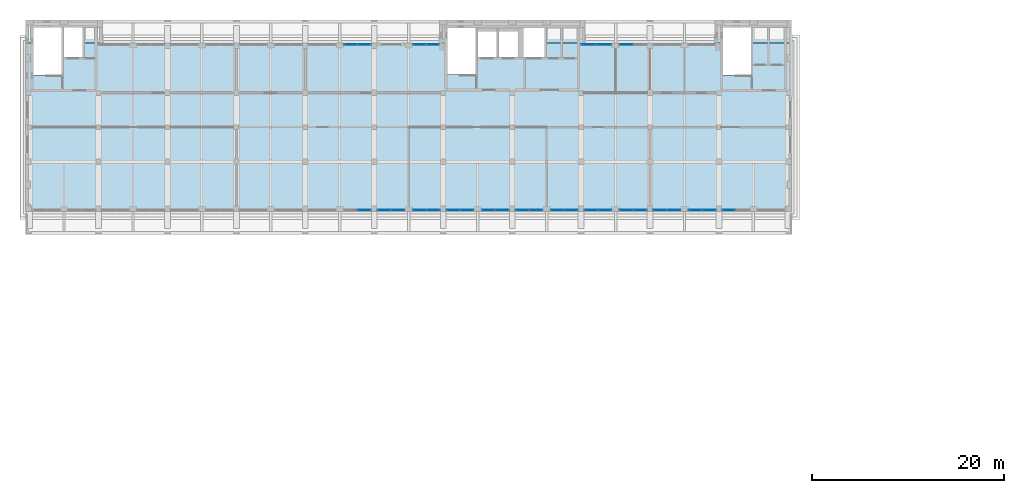
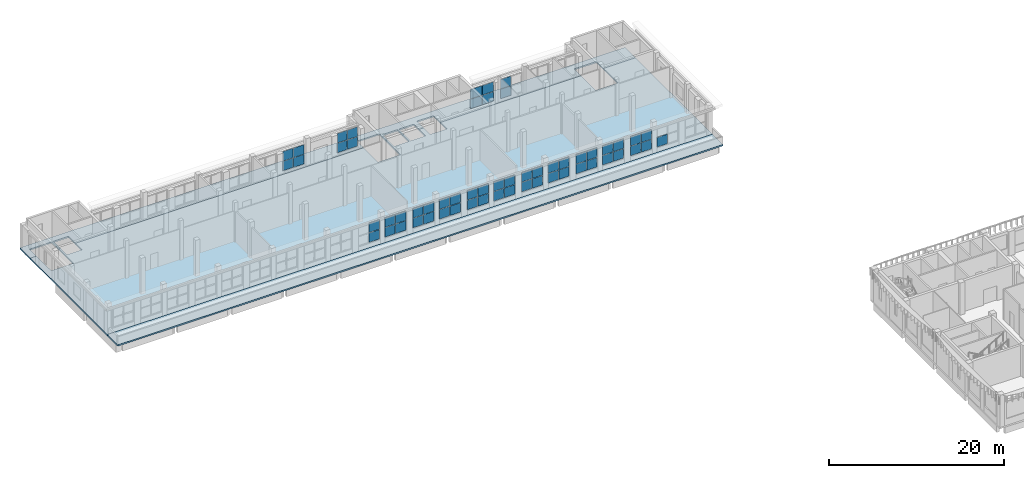
# One storey, part 12 of 30: 57 plates, 3 slabs, 16 elements without a shape of their own.
"""IFC4 building model written with IfcOpenShell, lengths in metres."""

import ifcopenshell
import ifcopenshell.guid

model = None  # the IFC model being written
_history = None  # IfcOwnerHistory: only IFC2X3 demands one
_inside = {}  # id of a spatial element -> (the spatial element, [elements in it])
_under = {}  # id of a project, library or spatial element -> (it, [spatial elements below it])
_declared = {}  # id of a project -> (the project, [libraries it declares])
_typed = {}  # id of a type object -> (the type object, [elements of that type])
_made_of = {}  # id of a material, layer set ... -> (it, [elements and type objects made of it])


def new_model(schema):
    """Start an empty IFC model of exactly this schema.

    Asked for "IFC4X3", IfcOpenShell would pick the latest addendum, in which some entities
    have other attributes; the version numbers below select the first issue.
    IFC2X3 requires an IfcOwnerHistory on every rooted entity: one is made here for all.
    """
    global model, _history
    if schema == "IFC4X3":
        model = ifcopenshell.file(schema_version=(4, 3, 0, 0))
    else:
        model = ifcopenshell.file(schema=schema)
    _inside.clear()
    _under.clear()
    _declared.clear()
    _typed.clear()
    _made_of.clear()
    _history = None
    if model.schema == "IFC2X3":
        org = make("IfcOrganization", Name="unknown")
        user = make(
            "IfcPersonAndOrganization",
            ThePerson=make("IfcPerson", FamilyName="unknown"),
            TheOrganization=org,
        )
        app = make(
            "IfcApplication",
            ApplicationDeveloper=org,
            Version="unknown",
            ApplicationFullName="unknown",
            ApplicationIdentifier="unknown",
        )
        _history = make(
            "IfcOwnerHistory",
            OwningUser=user,
            OwningApplication=app,
            ChangeAction="ADDED",
            CreationDate=0,
        )
    return model


def make(cls, **values):
    """One entity of the class cls with the attributes given. An attribute that is None is left unset."""
    return model.create_entity(
        cls, **{name: value for name, value in values.items() if value is not None}
    )


def rooted(cls, **values):
    """An entity with a GlobalId (a new one), such as an element, a storey or a relation."""
    return make(cls, GlobalId=ifcopenshell.guid.new(), OwnerHistory=_history, **values)


def si_unit(unit_type, name, prefix=None):
    """IfcSIUnit, for example si_unit("LENGTHUNIT", "METRE", prefix="MILLI")."""
    return make("IfcSIUnit", UnitType=unit_type, Prefix=prefix, Name=name)


def assignment(units):
    """IfcUnitAssignment: the units of a project."""
    return None if units is None else make("IfcUnitAssignment", Units=units)


def point(xyz):
    """IfcCartesianPoint."""
    return None if xyz is None else make("IfcCartesianPoint", Coordinates=xyz)


def direction(xyz):
    """IfcDirection."""
    return None if xyz is None else make("IfcDirection", DirectionRatios=xyz)


def frame(location, z_axis=None, x_axis=None):
    """IfcAxis2Placement3D, a coordinate frame: its origin and axes. An axis left out is left unset."""
    return make(
        "IfcAxis2Placement3D",
        Location=point(location),
        Axis=direction(z_axis),
        RefDirection=direction(x_axis),
    )


def frame_2d(location, x_axis=None):
    """IfcAxis2Placement2D, a coordinate frame in the plane: its origin and x axis."""
    return make(
        "IfcAxis2Placement2D", Location=point(location), RefDirection=direction(x_axis)
    )


def origin():
    """The frame at (0, 0, 0) with its axes left unset."""
    return frame((0.0, 0.0, 0.0))


def origin_2d():
    """The frame at (0, 0) in the plane with its x axis left unset."""
    return frame_2d((0.0, 0.0))


def place(relative_to, where):
    """IfcLocalPlacement: puts the frame where relative to a parent placement (None: the world)."""
    return make(
        "IfcLocalPlacement", PlacementRelTo=relative_to, RelativePlacement=where
    )


def context(
    kind, dimensions, precision=None, world=None, true_north=None, identifier=None
):
    """IfcGeometricRepresentationContext, for example the 3D "Model" context."""
    return make(
        "IfcGeometricRepresentationContext",
        ContextIdentifier=identifier,
        ContextType=kind,
        CoordinateSpaceDimension=dimensions,
        Precision=precision,
        WorldCoordinateSystem=world,
        TrueNorth=true_north,
    )


def subcontext(parent, identifier, kind, view, scale=None):
    """IfcGeometricRepresentationSubContext, for example "Body" below "Model"."""
    return make(
        "IfcGeometricRepresentationSubContext",
        ContextIdentifier=identifier,
        ContextType=kind,
        ParentContext=parent,
        TargetScale=scale,
        TargetView=view,
    )


def project(units=None, contexts=None):
    """IfcProject with its units and contexts."""
    return rooted(
        "IfcProject",
        Name="project",
        RepresentationContexts=contexts,
        UnitsInContext=assignment(units),
    )


def spatial(cls, under=None, at=None, **own):
    """A site, building, storey or space (cls), placed at a placement, below another one or the project."""
    s = rooted(cls, ObjectPlacement=at, **own)
    if under is not None:
        _under.setdefault(under.id(), (under, []))[1].append(s)
    return s


def polyline(points):
    """IfcPolyline through the points."""
    return make("IfcPolyline", Points=[point(p) for p in points])


def profile(cls, at=None, kind="AREA", **sizes):
    """A parametric profile (cls). Its sizes go by their IFC names, for example OverallWidth=200.0."""
    return make(cls, ProfileType=kind, Position=at, **sizes)


def rectangle(**sizes):
    """IfcRectangleProfileDef."""
    return profile("IfcRectangleProfileDef", **sizes)


def outline(outer, holes=None, kind="AREA"):
    """IfcArbitraryClosedProfileDef: a profile drawn as a closed curve; with holes, ...WithVoids."""
    if holes is None:
        return make("IfcArbitraryClosedProfileDef", ProfileType=kind, OuterCurve=outer)
    return make(
        "IfcArbitraryProfileDefWithVoids",
        ProfileType=kind,
        OuterCurve=outer,
        InnerCurves=holes,
    )


def extrude(swept, where, along, depth):
    """IfcExtrudedAreaSolid: the profile swept, set in the frame where, extruded along a direction by depth."""
    return make(
        "IfcExtrudedAreaSolid",
        SweptArea=swept,
        Position=where,
        ExtrudedDirection=direction(along),
        Depth=depth,
    )


def shape(context_of_items, identifier, shape_type, items):
    """IfcShapeRepresentation: the items that make up one representation, for example the "Body"."""
    return make(
        "IfcShapeRepresentation",
        ContextOfItems=context_of_items,
        RepresentationIdentifier=identifier,
        RepresentationType=shape_type,
        Items=items,
    )


def material(Name=None, Category=None):
    """IfcMaterial."""
    return make("IfcMaterial", Name=Name, Category=Category)


def layer(
    of_material, thickness, ventilated=None, Name=None, Category=None, Priority=None
):
    """IfcMaterialLayer: one layer of a wall or slab, of a material (None: an air gap)."""
    return make(
        "IfcMaterialLayer",
        Material=of_material,
        LayerThickness=thickness,
        IsVentilated=ventilated,
        Name=Name,
        Category=Category,
        Priority=Priority,
    )


def layer_set(layers, Name=None):
    """IfcMaterialLayerSet."""
    return make("IfcMaterialLayerSet", MaterialLayers=layers, LayerSetName=Name)


def made_of(thing, what):
    """Note that an element or type object is made of a material, layer set ...; save() writes the relation."""
    if what is not None:
        _made_of.setdefault(what.id(), (what, []))[1].append(thing)
    return thing


def type_object(cls, material=None, **own):
    """A type object (cls), such as IfcWallType, which elements share."""
    return made_of(rooted(cls, **own), material)


def element(
    cls,
    number,
    at=None,
    inside=None,
    cuts=None,
    type_object=None,
    material=None,
    context=None,
    identifier="Body",
    shape_type=None,
    held_by="IfcProductDefinitionShape",
    body=None,
    shapes=None,
    **own,
):
    """One element of the class cls, such as IfcWall. Its Tag is "e" and its number.

    at: its placement. inside: the storey or other place that contains it. cuts: it is an
    opening in that element (IfcRelVoidsElement). A single representation is given by context,
    identifier, shape_type and body (its items); several are given by shapes. held_by: the class
    of the entity that holds the representations. save() writes the other relations.
    """
    e = rooted(cls, Tag="e%d" % number, ObjectPlacement=at, **own)
    if body is not None:
        shapes = [shape(context, identifier, shape_type, body)]
    if shapes is not None:
        e.Representation = make(held_by, Representations=shapes)
    if inside is not None:
        _inside.setdefault(inside.id(), (inside, []))[1].append(e)
    if cuts is not None:
        rooted(
            "IfcRelVoidsElement", RelatingBuildingElement=cuts, RelatedOpeningElement=e
        )
    if type_object is not None:
        _typed.setdefault(type_object.id(), (type_object, []))[1].append(e)
    return made_of(e, material)


def aggregate(whole, parts):
    """IfcRelAggregates: a whole, such as a stair, and the parts it consists of."""
    return rooted("IfcRelAggregates", RelatingObject=whole, RelatedObjects=parts)


def save(model, path):
    """Write the relations noted so far, then the file.

    IfcRelAggregates (storeys below a building ...), IfcRelContainedInSpatialStructure (elements
    in a storey), IfcRelDefinesByType, IfcRelAssociatesMaterial and IfcRelDeclares: one each for
    every whole, place, type object, material and project.
    """
    for whole, parts in _under.values():
        aggregate(whole, parts)
    for where, things in _inside.values():
        rooted(
            "IfcRelContainedInSpatialStructure",
            RelatedElements=things,
            RelatingStructure=where,
        )
    for kind, things in _typed.values():
        rooted("IfcRelDefinesByType", RelatedObjects=things, RelatingType=kind)
    for what, things in _made_of.values():
        rooted("IfcRelAssociatesMaterial", RelatedObjects=things, RelatingMaterial=what)
    for by, libraries in _declared.values():
        rooted("IfcRelDeclares", RelatingContext=by, RelatedDefinitions=libraries)
    model.write(path)


model = new_model("IFC4")

# Units and contexts
model_context = context("Model", 3, precision=1e-05, world=origin(), true_north=direction((0.0, 1.0)))
body_context = subcontext(model_context, "Body", "Model", "MODEL_VIEW")
ifc_project = project(units=[si_unit("LENGTHUNIT", "METRE"), si_unit("AREAUNIT", "SQUARE_METRE"), si_unit("VOLUMEUNIT", "CUBIC_METRE"), si_unit("PLANEANGLEUNIT", "RADIAN"), si_unit("MASSUNIT", "GRAM", prefix="KILO")], contexts=[model_context])

# Site, building, storey
site_placement = place(None, origin())
site = spatial("IfcSite", under=ifc_project, at=site_placement, CompositionType="ELEMENT")
building_placement = place(site_placement, origin())
building = spatial("IfcBuilding", under=site, at=building_placement, Name="Ussher Court Research Institute", CompositionType="ELEMENT")
storey_placement = place(building_placement, frame((0.0, 0.0, 27.89990234375)))
storey = spatial("IfcBuildingStorey", under=building, at=storey_placement, Name="L06", CompositionType="ELEMENT", Elevation=27.89990234375)

# Slab
ifc_material_1 = material(Name="Concrete C35/45", Category="concrete")
ifc_layer_1 = layer(ifc_material_1, 0.199951171875)
ifc_layer_set_1 = layer_set([ifc_layer_1], Name="Concrete C35/45")
slab_type_1 = type_object("IfcSlabType", Name="Floor slab 200", PredefinedType="FLOOR", material=ifc_layer_set_1)
slab_1_placement = place(storey_placement, frame((0.0, 0.0, -0.199951171875)))
element("IfcSlab", 1, at=slab_1_placement, inside=storey, type_object=slab_type_1, Name="FS200 V5 L06-01", PredefinedType="FLOOR", context=body_context, shape_type="SweptSolid", body=[
    extrude(outline(polyline([(2.60009765625, 88.39990234375), (2.60009765625, 70.800048828125), (82.60009765625, 70.800048828125), (82.60009765625, 88.39990234375), (78.35009765625, 88.39990234375), (78.35009765625, 85.050048828125), (75.39990234375, 85.050048828125), (75.39990234375, 88.39990234375), (56.800048828125, 88.39990234375), (56.800048828125, 86.89990234375), (54.60009765625, 86.89990234375), (54.60009765625, 88.39990234375), (54.0, 88.39990234375), (54.0, 86.89990234375), (52.0, 86.89990234375), (52.0, 88.39990234375), (51.800048828125, 88.39990234375), (51.800048828125, 86.89990234375), (49.800048828125, 86.89990234375), (49.800048828125, 88.39990234375), (49.60009765625, 88.39990234375), (49.60009765625, 85.10009765625), (46.64990234375, 85.10009765625), (46.64990234375, 88.39990234375), (8.550048828125, 88.39990234375), (8.550048828125, 86.89990234375), (6.550048828125, 86.89990234375), (6.550048828125, 88.39990234375), (6.35009765625, 88.39990234375), (6.35009765625, 85.050048828125), (3.39990234375, 85.050048828125), (3.39990234375, 88.39990234375), (2.60009765625, 88.39990234375)])), origin(), (0.0, 0.0, 1.0), 0.199951171875),
])

# Curtain wall, plate
ifc_material_2 = material(Name="Bronze anodised aluminium with insulated low-e glass", Category="aluminium")
ifc_layer_2 = layer(ifc_material_2, 0.1201171875)
ifc_layer_set_2 = layer_set([ifc_layer_2], Name="Bronze anodised aluminium with insulated low-e glass")
curtain_wall_type = type_object("IfcCurtainWallType", Name="Curtain wall attic gallery glazing", PredefinedType="NOTDEFINED", material=ifc_layer_set_2)
curtain_wall_1_placement = place(storey_placement, origin())
curtain_wall_1 = element("IfcCurtainWall", 2, at=curtain_wall_1_placement, inside=storey, type_object=curtain_wall_type, Name="Curtain wall CW11 L06", PredefinedType="NOTDEFINED")
ifc_material_3 = material(Name="Insulated glazed unit low-e")
ifc_layer_3 = layer(ifc_material_3, 0.06005859375)
ifc_layer_set_3 = layer_set([ifc_layer_3], Name="Insulated glazed unit low-e")
plate_type = type_object("IfcPlateType", Name="Insulated glazing panel 60 mm", PredefinedType="CURTAIN_PANEL", material=ifc_layer_set_3)
plate_1_placement = place(storey_placement, frame((76.0400390625, 70.949951171875, 0.66015625), z_axis=(0.0, 0.0, 1.0), x_axis=(-1.0, 0.0, 0.0)))
plate_1 = element("IfcPlate", 3, at=plate_1_placement, type_object=plate_type, Name="CW11 panel 2.1", PredefinedType="CURTAIN_PANEL", context=body_context, shape_type="SweptSolid", body=[
    extrude(rectangle(XDim=1.360107421875, YDim=0.06005859375, at=origin_2d()), origin(), (0.0, 0.0, 1.0), 1.31005859375),
])
aggregate(curtain_wall_1, [plate_1])

# Curtain wall, plates
curtain_wall_2_placement = place(storey_placement, origin())
curtain_wall_2 = element("IfcCurtainWall", 4, at=curtain_wall_2_placement, inside=storey, type_object=curtain_wall_type, Name="Curtain wall CW11 L06", PredefinedType="NOTDEFINED")
plate_2_placement = place(storey_placement, frame((73.9599609375, 70.949951171875, 0.66015625), z_axis=(0.0, 0.0, 1.0), x_axis=(-1.0, 0.0, 0.0)))
plate_2 = element("IfcPlate", 5, at=plate_2_placement, type_object=plate_type, Name="CW11 panel 1.1", PredefinedType="CURTAIN_PANEL", context=body_context, shape_type="SweptSolid", body=[
    extrude(rectangle(XDim=1.360107421875, YDim=0.06005859375, at=origin_2d()), origin(), (0.0, 0.0, 1.0), 1.31005859375),
])
plate_3_placement = place(storey_placement, frame((73.9599609375, 70.949951171875, 2.030029296875), z_axis=(0.0, 0.0, 1.0), x_axis=(-1.0, 0.0, 0.0)))
plate_3 = element("IfcPlate", 6, at=plate_3_placement, type_object=plate_type, Name="CW11 panel 1.2", PredefinedType="CURTAIN_PANEL", context=body_context, shape_type="SweptSolid", body=[
    extrude(rectangle(XDim=1.360107421875, YDim=0.06005859375, at=origin_2d()), origin(), (0.0, 0.0, 1.0), 1.31005859375),
])
plate_4_placement = place(storey_placement, frame((72.5400390625, 70.949951171875, 0.66015625), z_axis=(0.0, 0.0, 1.0), x_axis=(-1.0, 0.0, 0.0)))
plate_4 = element("IfcPlate", 7, at=plate_4_placement, type_object=plate_type, Name="CW11 panel 2.1", PredefinedType="CURTAIN_PANEL", context=body_context, shape_type="SweptSolid", body=[
    extrude(rectangle(XDim=1.360107421875, YDim=0.06005859375, at=origin_2d()), origin(), (0.0, 0.0, 1.0), 1.31005859375),
])
plate_5_placement = place(storey_placement, frame((72.5400390625, 70.949951171875, 2.030029296875), z_axis=(0.0, 0.0, 1.0), x_axis=(-1.0, 0.0, 0.0)))
plate_5 = element("IfcPlate", 8, at=plate_5_placement, type_object=plate_type, Name="CW11 panel 2.2", PredefinedType="CURTAIN_PANEL", context=body_context, shape_type="SweptSolid", body=[
    extrude(rectangle(XDim=1.360107421875, YDim=0.06005859375, at=origin_2d()), origin(), (0.0, 0.0, 1.0), 1.31005859375),
])
aggregate(curtain_wall_2, [plate_2, plate_3, plate_4, plate_5])

curtain_wall_3_placement = place(storey_placement, origin())
curtain_wall_3 = element("IfcCurtainWall", 9, at=curtain_wall_3_placement, inside=storey, type_object=curtain_wall_type, Name="Curtain wall CW11 L06", PredefinedType="NOTDEFINED")
plate_6_placement = place(storey_placement, frame((70.260009765625, 70.949951171875, 0.66015625), z_axis=(0.0, 0.0, 1.0), x_axis=(-1.0, 0.0, 0.0)))
plate_6 = element("IfcPlate", 10, at=plate_6_placement, type_object=plate_type, Name="CW11 panel 1.1", PredefinedType="CURTAIN_PANEL", context=body_context, shape_type="SweptSolid", body=[
    extrude(rectangle(XDim=1.360107421875, YDim=0.06005859375, at=origin_2d()), origin(), (0.0, 0.0, 1.0), 1.31005859375),
])
plate_7_placement = place(storey_placement, frame((70.260009765625, 70.949951171875, 2.030029296875), z_axis=(0.0, 0.0, 1.0), x_axis=(-1.0, 0.0, 0.0)))
plate_7 = element("IfcPlate", 11, at=plate_7_placement, type_object=plate_type, Name="CW11 panel 1.2", PredefinedType="CURTAIN_PANEL", context=body_context, shape_type="SweptSolid", body=[
    extrude(rectangle(XDim=1.360107421875, YDim=0.06005859375, at=origin_2d()), origin(), (0.0, 0.0, 1.0), 1.31005859375),
])
plate_8_placement = place(storey_placement, frame((68.840087890625, 70.949951171875, 0.66015625), z_axis=(0.0, 0.0, 1.0), x_axis=(-1.0, 0.0, 0.0)))
plate_8 = element("IfcPlate", 12, at=plate_8_placement, type_object=plate_type, Name="CW11 panel 2.1", PredefinedType="CURTAIN_PANEL", context=body_context, shape_type="SweptSolid", body=[
    extrude(rectangle(XDim=1.360107421875, YDim=0.06005859375, at=origin_2d()), origin(), (0.0, 0.0, 1.0), 1.31005859375),
])
plate_9_placement = place(storey_placement, frame((68.840087890625, 70.949951171875, 2.030029296875), z_axis=(0.0, 0.0, 1.0), x_axis=(-1.0, 0.0, 0.0)))
plate_9 = element("IfcPlate", 13, at=plate_9_placement, type_object=plate_type, Name="CW11 panel 2.2", PredefinedType="CURTAIN_PANEL", context=body_context, shape_type="SweptSolid", body=[
    extrude(rectangle(XDim=1.360107421875, YDim=0.06005859375, at=origin_2d()), origin(), (0.0, 0.0, 1.0), 1.31005859375),
])
aggregate(curtain_wall_3, [plate_6, plate_7, plate_8, plate_9])

curtain_wall_4_placement = place(storey_placement, origin())
curtain_wall_4 = element("IfcCurtainWall", 14, at=curtain_wall_4_placement, inside=storey, type_object=curtain_wall_type, Name="Curtain wall CW11 L06", PredefinedType="NOTDEFINED")
plate_10_placement = place(storey_placement, frame((66.760009765625, 70.949951171875, 0.66015625), z_axis=(0.0, 0.0, 1.0), x_axis=(-1.0, 0.0, 0.0)))
plate_10 = element("IfcPlate", 15, at=plate_10_placement, type_object=plate_type, Name="CW11 panel 1.1", PredefinedType="CURTAIN_PANEL", context=body_context, shape_type="SweptSolid", body=[
    extrude(rectangle(XDim=1.360107421875, YDim=0.06005859375, at=origin_2d()), origin(), (0.0, 0.0, 1.0), 1.31005859375),
])
plate_11_placement = place(storey_placement, frame((66.760009765625, 70.949951171875, 2.030029296875), z_axis=(0.0, 0.0, 1.0), x_axis=(-1.0, 0.0, 0.0)))
plate_11 = element("IfcPlate", 16, at=plate_11_placement, type_object=plate_type, Name="CW11 panel 1.2", PredefinedType="CURTAIN_PANEL", context=body_context, shape_type="SweptSolid", body=[
    extrude(rectangle(XDim=1.360107421875, YDim=0.06005859375, at=origin_2d()), origin(), (0.0, 0.0, 1.0), 1.31005859375),
])
plate_12_placement = place(storey_placement, frame((65.340087890625, 70.949951171875, 0.66015625), z_axis=(0.0, 0.0, 1.0), x_axis=(-1.0, 0.0, 0.0)))
plate_12 = element("IfcPlate", 17, at=plate_12_placement, type_object=plate_type, Name="CW11 panel 2.1", PredefinedType="CURTAIN_PANEL", context=body_context, shape_type="SweptSolid", body=[
    extrude(rectangle(XDim=1.360107421875, YDim=0.06005859375, at=origin_2d()), origin(), (0.0, 0.0, 1.0), 1.31005859375),
])
plate_13_placement = place(storey_placement, frame((65.340087890625, 70.949951171875, 2.030029296875), z_axis=(0.0, 0.0, 1.0), x_axis=(-1.0, 0.0, 0.0)))
plate_13 = element("IfcPlate", 18, at=plate_13_placement, type_object=plate_type, Name="CW11 panel 2.2", PredefinedType="CURTAIN_PANEL", context=body_context, shape_type="SweptSolid", body=[
    extrude(rectangle(XDim=1.360107421875, YDim=0.06005859375, at=origin_2d()), origin(), (0.0, 0.0, 1.0), 1.31005859375),
])
aggregate(curtain_wall_4, [plate_10, plate_11, plate_12, plate_13])

curtain_wall_5_placement = place(storey_placement, origin())
curtain_wall_5 = element("IfcCurtainWall", 19, at=curtain_wall_5_placement, inside=storey, type_object=curtain_wall_type, Name="Curtain wall CW11 L06", PredefinedType="NOTDEFINED")
plate_14_placement = place(storey_placement, frame((63.06005859375, 70.949951171875, 0.66015625), z_axis=(0.0, 0.0, 1.0), x_axis=(-1.0, 0.0, 0.0)))
plate_14 = element("IfcPlate", 20, at=plate_14_placement, type_object=plate_type, Name="CW11 panel 1.1", PredefinedType="CURTAIN_PANEL", context=body_context, shape_type="SweptSolid", body=[
    extrude(rectangle(XDim=1.360107421875, YDim=0.06005859375, at=origin_2d()), origin(), (0.0, 0.0, 1.0), 1.31005859375),
])
plate_15_placement = place(storey_placement, frame((63.06005859375, 70.949951171875, 2.030029296875), z_axis=(0.0, 0.0, 1.0), x_axis=(-1.0, 0.0, 0.0)))
plate_15 = element("IfcPlate", 21, at=plate_15_placement, type_object=plate_type, Name="CW11 panel 1.2", PredefinedType="CURTAIN_PANEL", context=body_context, shape_type="SweptSolid", body=[
    extrude(rectangle(XDim=1.360107421875, YDim=0.06005859375, at=origin_2d()), origin(), (0.0, 0.0, 1.0), 1.31005859375),
])
plate_16_placement = place(storey_placement, frame((61.639892578125, 70.949951171875, 0.66015625), z_axis=(0.0, 0.0, 1.0), x_axis=(-1.0, 0.0, 0.0)))
plate_16 = element("IfcPlate", 22, at=plate_16_placement, type_object=plate_type, Name="CW11 panel 2.1", PredefinedType="CURTAIN_PANEL", context=body_context, shape_type="SweptSolid", body=[
    extrude(rectangle(XDim=1.360107421875, YDim=0.06005859375, at=origin_2d()), origin(), (0.0, 0.0, 1.0), 1.31005859375),
])
plate_17_placement = place(storey_placement, frame((61.639892578125, 70.949951171875, 2.030029296875), z_axis=(0.0, 0.0, 1.0), x_axis=(-1.0, 0.0, 0.0)))
plate_17 = element("IfcPlate", 23, at=plate_17_placement, type_object=plate_type, Name="CW11 panel 2.2", PredefinedType="CURTAIN_PANEL", context=body_context, shape_type="SweptSolid", body=[
    extrude(rectangle(XDim=1.360107421875, YDim=0.06005859375, at=origin_2d()), origin(), (0.0, 0.0, 1.0), 1.31005859375),
])
aggregate(curtain_wall_5, [plate_14, plate_15, plate_16, plate_17])

curtain_wall_6_placement = place(storey_placement, origin())
curtain_wall_6 = element("IfcCurtainWall", 24, at=curtain_wall_6_placement, inside=storey, type_object=curtain_wall_type, Name="Curtain wall CW11 L06", PredefinedType="NOTDEFINED")
plate_18_placement = place(storey_placement, frame((59.56005859375, 70.949951171875, 0.66015625), z_axis=(0.0, 0.0, 1.0), x_axis=(-1.0, 0.0, 0.0)))
plate_18 = element("IfcPlate", 25, at=plate_18_placement, type_object=plate_type, Name="CW11 panel 1.1", PredefinedType="CURTAIN_PANEL", context=body_context, shape_type="SweptSolid", body=[
    extrude(rectangle(XDim=1.360107421875, YDim=0.06005859375, at=origin_2d()), origin(), (0.0, 0.0, 1.0), 1.31005859375),
])
plate_19_placement = place(storey_placement, frame((59.56005859375, 70.949951171875, 2.030029296875), z_axis=(0.0, 0.0, 1.0), x_axis=(-1.0, 0.0, 0.0)))
plate_19 = element("IfcPlate", 26, at=plate_19_placement, type_object=plate_type, Name="CW11 panel 1.2", PredefinedType="CURTAIN_PANEL", context=body_context, shape_type="SweptSolid", body=[
    extrude(rectangle(XDim=1.360107421875, YDim=0.06005859375, at=origin_2d()), origin(), (0.0, 0.0, 1.0), 1.31005859375),
])
plate_20_placement = place(storey_placement, frame((58.139892578125, 70.949951171875, 0.66015625), z_axis=(0.0, 0.0, 1.0), x_axis=(-1.0, 0.0, 0.0)))
plate_20 = element("IfcPlate", 27, at=plate_20_placement, type_object=plate_type, Name="CW11 panel 2.1", PredefinedType="CURTAIN_PANEL", context=body_context, shape_type="SweptSolid", body=[
    extrude(rectangle(XDim=1.360107421875, YDim=0.06005859375, at=origin_2d()), origin(), (0.0, 0.0, 1.0), 1.31005859375),
])
plate_21_placement = place(storey_placement, frame((58.139892578125, 70.949951171875, 2.030029296875), z_axis=(0.0, 0.0, 1.0), x_axis=(-1.0, 0.0, 0.0)))
plate_21 = element("IfcPlate", 28, at=plate_21_placement, type_object=plate_type, Name="CW11 panel 2.2", PredefinedType="CURTAIN_PANEL", context=body_context, shape_type="SweptSolid", body=[
    extrude(rectangle(XDim=1.360107421875, YDim=0.06005859375, at=origin_2d()), origin(), (0.0, 0.0, 1.0), 1.31005859375),
])
aggregate(curtain_wall_6, [plate_18, plate_19, plate_20, plate_21])

curtain_wall_7_placement = place(storey_placement, origin())
curtain_wall_7 = element("IfcCurtainWall", 29, at=curtain_wall_7_placement, inside=storey, type_object=curtain_wall_type, Name="Curtain wall CW11 L06", PredefinedType="NOTDEFINED")
plate_22_placement = place(storey_placement, frame((55.860107421875, 70.949951171875, 0.66015625), z_axis=(0.0, 0.0, 1.0), x_axis=(-1.0, 0.0, 0.0)))
plate_22 = element("IfcPlate", 30, at=plate_22_placement, type_object=plate_type, Name="CW11 panel 1.1", PredefinedType="CURTAIN_PANEL", context=body_context, shape_type="SweptSolid", body=[
    extrude(rectangle(XDim=1.360107421875, YDim=0.06005859375, at=origin_2d()), origin(), (0.0, 0.0, 1.0), 1.31005859375),
])
plate_23_placement = place(storey_placement, frame((55.860107421875, 70.949951171875, 2.030029296875), z_axis=(0.0, 0.0, 1.0), x_axis=(-1.0, 0.0, 0.0)))
plate_23 = element("IfcPlate", 31, at=plate_23_placement, type_object=plate_type, Name="CW11 panel 1.2", PredefinedType="CURTAIN_PANEL", context=body_context, shape_type="SweptSolid", body=[
    extrude(rectangle(XDim=1.360107421875, YDim=0.06005859375, at=origin_2d()), origin(), (0.0, 0.0, 1.0), 1.31005859375),
])
plate_24_placement = place(storey_placement, frame((54.43994140625, 70.949951171875, 0.66015625), z_axis=(0.0, 0.0, 1.0), x_axis=(-1.0, 0.0, 0.0)))
plate_24 = element("IfcPlate", 32, at=plate_24_placement, type_object=plate_type, Name="CW11 panel 2.1", PredefinedType="CURTAIN_PANEL", context=body_context, shape_type="SweptSolid", body=[
    extrude(rectangle(XDim=1.360107421875, YDim=0.06005859375, at=origin_2d()), origin(), (0.0, 0.0, 1.0), 1.31005859375),
])
plate_25_placement = place(storey_placement, frame((54.43994140625, 70.949951171875, 2.030029296875), z_axis=(0.0, 0.0, 1.0), x_axis=(-1.0, 0.0, 0.0)))
plate_25 = element("IfcPlate", 33, at=plate_25_placement, type_object=plate_type, Name="CW11 panel 2.2", PredefinedType="CURTAIN_PANEL", context=body_context, shape_type="SweptSolid", body=[
    extrude(rectangle(XDim=1.360107421875, YDim=0.06005859375, at=origin_2d()), origin(), (0.0, 0.0, 1.0), 1.31005859375),
])
aggregate(curtain_wall_7, [plate_22, plate_23, plate_24, plate_25])

curtain_wall_8_placement = place(storey_placement, origin())
curtain_wall_8 = element("IfcCurtainWall", 34, at=curtain_wall_8_placement, inside=storey, type_object=curtain_wall_type, Name="Curtain wall CW11 L06", PredefinedType="NOTDEFINED")
plate_26_placement = place(storey_placement, frame((52.360107421875, 70.949951171875, 0.66015625), z_axis=(0.0, 0.0, 1.0), x_axis=(-1.0, 0.0, 0.0)))
plate_26 = element("IfcPlate", 35, at=plate_26_placement, type_object=plate_type, Name="CW11 panel 1.1", PredefinedType="CURTAIN_PANEL", context=body_context, shape_type="SweptSolid", body=[
    extrude(rectangle(XDim=1.360107421875, YDim=0.06005859375, at=origin_2d()), origin(), (0.0, 0.0, 1.0), 1.31005859375),
])
plate_27_placement = place(storey_placement, frame((52.360107421875, 70.949951171875, 2.030029296875), z_axis=(0.0, 0.0, 1.0), x_axis=(-1.0, 0.0, 0.0)))
plate_27 = element("IfcPlate", 36, at=plate_27_placement, type_object=plate_type, Name="CW11 panel 1.2", PredefinedType="CURTAIN_PANEL", context=body_context, shape_type="SweptSolid", body=[
    extrude(rectangle(XDim=1.360107421875, YDim=0.06005859375, at=origin_2d()), origin(), (0.0, 0.0, 1.0), 1.31005859375),
])
plate_28_placement = place(storey_placement, frame((50.93994140625, 70.949951171875, 0.66015625), z_axis=(0.0, 0.0, 1.0), x_axis=(-1.0, 0.0, 0.0)))
plate_28 = element("IfcPlate", 37, at=plate_28_placement, type_object=plate_type, Name="CW11 panel 2.1", PredefinedType="CURTAIN_PANEL", context=body_context, shape_type="SweptSolid", body=[
    extrude(rectangle(XDim=1.360107421875, YDim=0.06005859375, at=origin_2d()), origin(), (0.0, 0.0, 1.0), 1.31005859375),
])
plate_29_placement = place(storey_placement, frame((50.93994140625, 70.949951171875, 2.030029296875), z_axis=(0.0, 0.0, 1.0), x_axis=(-1.0, 0.0, 0.0)))
plate_29 = element("IfcPlate", 38, at=plate_29_placement, type_object=plate_type, Name="CW11 panel 2.2", PredefinedType="CURTAIN_PANEL", context=body_context, shape_type="SweptSolid", body=[
    extrude(rectangle(XDim=1.360107421875, YDim=0.06005859375, at=origin_2d()), origin(), (0.0, 0.0, 1.0), 1.31005859375),
])
aggregate(curtain_wall_8, [plate_26, plate_27, plate_28, plate_29])

curtain_wall_9_placement = place(storey_placement, origin())
curtain_wall_9 = element("IfcCurtainWall", 39, at=curtain_wall_9_placement, inside=storey, type_object=curtain_wall_type, Name="Curtain wall CW11 L06", PredefinedType="NOTDEFINED")
plate_30_placement = place(storey_placement, frame((48.659912109375, 70.949951171875, 0.66015625), z_axis=(0.0, 0.0, 1.0), x_axis=(-1.0, 0.0, 0.0)))
plate_30 = element("IfcPlate", 40, at=plate_30_placement, type_object=plate_type, Name="CW11 panel 1.1", PredefinedType="CURTAIN_PANEL", context=body_context, shape_type="SweptSolid", body=[
    extrude(rectangle(XDim=1.360107421875, YDim=0.06005859375, at=origin_2d()), origin(), (0.0, 0.0, 1.0), 1.31005859375),
])
plate_31_placement = place(storey_placement, frame((48.659912109375, 70.949951171875, 2.030029296875), z_axis=(0.0, 0.0, 1.0), x_axis=(-1.0, 0.0, 0.0)))
plate_31 = element("IfcPlate", 41, at=plate_31_placement, type_object=plate_type, Name="CW11 panel 1.2", PredefinedType="CURTAIN_PANEL", context=body_context, shape_type="SweptSolid", body=[
    extrude(rectangle(XDim=1.360107421875, YDim=0.06005859375, at=origin_2d()), origin(), (0.0, 0.0, 1.0), 1.31005859375),
])
plate_32_placement = place(storey_placement, frame((47.239990234375, 70.949951171875, 0.66015625), z_axis=(0.0, 0.0, 1.0), x_axis=(-1.0, 0.0, 0.0)))
plate_32 = element("IfcPlate", 42, at=plate_32_placement, type_object=plate_type, Name="CW11 panel 2.1", PredefinedType="CURTAIN_PANEL", context=body_context, shape_type="SweptSolid", body=[
    extrude(rectangle(XDim=1.360107421875, YDim=0.06005859375, at=origin_2d()), origin(), (0.0, 0.0, 1.0), 1.31005859375),
])
plate_33_placement = place(storey_placement, frame((47.239990234375, 70.949951171875, 2.030029296875), z_axis=(0.0, 0.0, 1.0), x_axis=(-1.0, 0.0, 0.0)))
plate_33 = element("IfcPlate", 43, at=plate_33_placement, type_object=plate_type, Name="CW11 panel 2.2", PredefinedType="CURTAIN_PANEL", context=body_context, shape_type="SweptSolid", body=[
    extrude(rectangle(XDim=1.360107421875, YDim=0.06005859375, at=origin_2d()), origin(), (0.0, 0.0, 1.0), 1.31005859375),
])
aggregate(curtain_wall_9, [plate_30, plate_31, plate_32, plate_33])

curtain_wall_10_placement = place(storey_placement, origin())
curtain_wall_10 = element("IfcCurtainWall", 44, at=curtain_wall_10_placement, inside=storey, type_object=curtain_wall_type, Name="Curtain wall CW11 L06", PredefinedType="NOTDEFINED")
plate_34_placement = place(storey_placement, frame((45.159912109375, 70.949951171875, 0.66015625), z_axis=(0.0, 0.0, 1.0), x_axis=(-1.0, 0.0, 0.0)))
plate_34 = element("IfcPlate", 45, at=plate_34_placement, type_object=plate_type, Name="CW11 panel 1.1", PredefinedType="CURTAIN_PANEL", context=body_context, shape_type="SweptSolid", body=[
    extrude(rectangle(XDim=1.360107421875, YDim=0.06005859375, at=origin_2d()), origin(), (0.0, 0.0, 1.0), 1.31005859375),
])
plate_35_placement = place(storey_placement, frame((45.159912109375, 70.949951171875, 2.030029296875), z_axis=(0.0, 0.0, 1.0), x_axis=(-1.0, 0.0, 0.0)))
plate_35 = element("IfcPlate", 46, at=plate_35_placement, type_object=plate_type, Name="CW11 panel 1.2", PredefinedType="CURTAIN_PANEL", context=body_context, shape_type="SweptSolid", body=[
    extrude(rectangle(XDim=1.360107421875, YDim=0.06005859375, at=origin_2d()), origin(), (0.0, 0.0, 1.0), 1.31005859375),
])
plate_36_placement = place(storey_placement, frame((43.739990234375, 70.949951171875, 0.66015625), z_axis=(0.0, 0.0, 1.0), x_axis=(-1.0, 0.0, 0.0)))
plate_36 = element("IfcPlate", 47, at=plate_36_placement, type_object=plate_type, Name="CW11 panel 2.1", PredefinedType="CURTAIN_PANEL", context=body_context, shape_type="SweptSolid", body=[
    extrude(rectangle(XDim=1.360107421875, YDim=0.06005859375, at=origin_2d()), origin(), (0.0, 0.0, 1.0), 1.31005859375),
])
plate_37_placement = place(storey_placement, frame((43.739990234375, 70.949951171875, 2.030029296875), z_axis=(0.0, 0.0, 1.0), x_axis=(-1.0, 0.0, 0.0)))
plate_37 = element("IfcPlate", 48, at=plate_37_placement, type_object=plate_type, Name="CW11 panel 2.2", PredefinedType="CURTAIN_PANEL", context=body_context, shape_type="SweptSolid", body=[
    extrude(rectangle(XDim=1.360107421875, YDim=0.06005859375, at=origin_2d()), origin(), (0.0, 0.0, 1.0), 1.31005859375),
])
aggregate(curtain_wall_10, [plate_34, plate_35, plate_36, plate_37])

curtain_wall_11_placement = place(storey_placement, origin())
curtain_wall_11 = element("IfcCurtainWall", 49, at=curtain_wall_11_placement, inside=storey, type_object=curtain_wall_type, Name="Curtain wall CW11 L06", PredefinedType="NOTDEFINED")
plate_38_placement = place(storey_placement, frame((41.4599609375, 70.949951171875, 0.66015625), z_axis=(0.0, 0.0, 1.0), x_axis=(-1.0, 0.0, 0.0)))
plate_38 = element("IfcPlate", 50, at=plate_38_placement, type_object=plate_type, Name="CW11 panel 1.1", PredefinedType="CURTAIN_PANEL", context=body_context, shape_type="SweptSolid", body=[
    extrude(rectangle(XDim=1.360107421875, YDim=0.06005859375, at=origin_2d()), origin(), (0.0, 0.0, 1.0), 1.31005859375),
])
plate_39_placement = place(storey_placement, frame((41.4599609375, 70.949951171875, 2.030029296875), z_axis=(0.0, 0.0, 1.0), x_axis=(-1.0, 0.0, 0.0)))
plate_39 = element("IfcPlate", 51, at=plate_39_placement, type_object=plate_type, Name="CW11 panel 1.2", PredefinedType="CURTAIN_PANEL", context=body_context, shape_type="SweptSolid", body=[
    extrude(rectangle(XDim=1.360107421875, YDim=0.06005859375, at=origin_2d()), origin(), (0.0, 0.0, 1.0), 1.31005859375),
])
plate_40_placement = place(storey_placement, frame((40.0400390625, 70.949951171875, 0.66015625), z_axis=(0.0, 0.0, 1.0), x_axis=(-1.0, 0.0, 0.0)))
plate_40 = element("IfcPlate", 52, at=plate_40_placement, type_object=plate_type, Name="CW11 panel 2.1", PredefinedType="CURTAIN_PANEL", context=body_context, shape_type="SweptSolid", body=[
    extrude(rectangle(XDim=1.360107421875, YDim=0.06005859375, at=origin_2d()), origin(), (0.0, 0.0, 1.0), 1.31005859375),
])
plate_41_placement = place(storey_placement, frame((40.0400390625, 70.949951171875, 2.030029296875), z_axis=(0.0, 0.0, 1.0), x_axis=(-1.0, 0.0, 0.0)))
plate_41 = element("IfcPlate", 53, at=plate_41_placement, type_object=plate_type, Name="CW11 panel 2.2", PredefinedType="CURTAIN_PANEL", context=body_context, shape_type="SweptSolid", body=[
    extrude(rectangle(XDim=1.360107421875, YDim=0.06005859375, at=origin_2d()), origin(), (0.0, 0.0, 1.0), 1.31005859375),
])
aggregate(curtain_wall_11, [plate_38, plate_39, plate_40, plate_41])

curtain_wall_12_placement = place(storey_placement, origin())
curtain_wall_12 = element("IfcCurtainWall", 54, at=curtain_wall_12_placement, inside=storey, type_object=curtain_wall_type, Name="Curtain wall CW11 L06", PredefinedType="NOTDEFINED")
plate_42_placement = place(storey_placement, frame((37.9599609375, 70.949951171875, 0.66015625), z_axis=(0.0, 0.0, 1.0), x_axis=(-1.0, 0.0, 0.0)))
plate_42 = element("IfcPlate", 55, at=plate_42_placement, type_object=plate_type, Name="CW11 panel 1.1", PredefinedType="CURTAIN_PANEL", context=body_context, shape_type="SweptSolid", body=[
    extrude(rectangle(XDim=1.360107421875, YDim=0.06005859375, at=origin_2d()), origin(), (0.0, 0.0, 1.0), 1.31005859375),
])
plate_43_placement = place(storey_placement, frame((37.9599609375, 70.949951171875, 2.030029296875), z_axis=(0.0, 0.0, 1.0), x_axis=(-1.0, 0.0, 0.0)))
plate_43 = element("IfcPlate", 56, at=plate_43_placement, type_object=plate_type, Name="CW11 panel 1.2", PredefinedType="CURTAIN_PANEL", context=body_context, shape_type="SweptSolid", body=[
    extrude(rectangle(XDim=1.360107421875, YDim=0.06005859375, at=origin_2d()), origin(), (0.0, 0.0, 1.0), 1.31005859375),
])
aggregate(curtain_wall_12, [plate_42, plate_43])

curtain_wall_13_placement = place(storey_placement, origin())
curtain_wall_13 = element("IfcCurtainWall", 57, at=curtain_wall_13_placement, inside=storey, type_object=curtain_wall_type, Name="Curtain wall CW11 L06", PredefinedType="NOTDEFINED")
plate_44_placement = place(storey_placement, frame((36.5400390625, 88.25, 0.66015625), z_axis=(0.0, 0.0, 1.0), x_axis=(1.0, 0.0, 0.0)))
plate_44 = element("IfcPlate", 58, at=plate_44_placement, type_object=plate_type, Name="CW11 panel 1.1", PredefinedType="CURTAIN_PANEL", context=body_context, shape_type="SweptSolid", body=[
    extrude(rectangle(XDim=1.360107421875, YDim=0.06005859375, at=origin_2d()), origin(), (0.0, 0.0, 1.0), 1.31005859375),
])
plate_45_placement = place(storey_placement, frame((36.5400390625, 88.25, 2.030029296875), z_axis=(0.0, 0.0, 1.0), x_axis=(1.0, 0.0, 0.0)))
plate_45 = element("IfcPlate", 59, at=plate_45_placement, type_object=plate_type, Name="CW11 panel 1.2", PredefinedType="CURTAIN_PANEL", context=body_context, shape_type="SweptSolid", body=[
    extrude(rectangle(XDim=1.360107421875, YDim=0.06005859375, at=origin_2d()), origin(), (0.0, 0.0, 1.0), 1.31005859375),
])
plate_46_placement = place(storey_placement, frame((37.9599609375, 88.25, 0.66015625), z_axis=(0.0, 0.0, 1.0), x_axis=(1.0, 0.0, 0.0)))
plate_46 = element("IfcPlate", 60, at=plate_46_placement, type_object=plate_type, Name="CW11 panel 2.1", PredefinedType="CURTAIN_PANEL", context=body_context, shape_type="SweptSolid", body=[
    extrude(rectangle(XDim=1.360107421875, YDim=0.06005859375, at=origin_2d()), origin(), (0.0, 0.0, 1.0), 1.31005859375),
])
plate_47_placement = place(storey_placement, frame((37.9599609375, 88.25, 2.030029296875), z_axis=(0.0, 0.0, 1.0), x_axis=(1.0, 0.0, 0.0)))
plate_47 = element("IfcPlate", 61, at=plate_47_placement, type_object=plate_type, Name="CW11 panel 2.2", PredefinedType="CURTAIN_PANEL", context=body_context, shape_type="SweptSolid", body=[
    extrude(rectangle(XDim=1.360107421875, YDim=0.06005859375, at=origin_2d()), origin(), (0.0, 0.0, 1.0), 1.31005859375),
])
aggregate(curtain_wall_13, [plate_44, plate_45, plate_46, plate_47])

curtain_wall_14_placement = place(storey_placement, origin())
curtain_wall_14 = element("IfcCurtainWall", 62, at=curtain_wall_14_placement, inside=storey, type_object=curtain_wall_type, Name="Curtain wall CW11 L06", PredefinedType="NOTDEFINED")
plate_48_placement = place(storey_placement, frame((43.715087890625, 88.25, 0.66015625), z_axis=(0.0, 0.0, 1.0), x_axis=(1.0, 0.0, 0.0)))
plate_48 = element("IfcPlate", 63, at=plate_48_placement, type_object=plate_type, Name="CW11 panel 1.1", PredefinedType="CURTAIN_PANEL", context=body_context, shape_type="SweptSolid", body=[
    extrude(rectangle(XDim=1.31005859375, YDim=0.06005859375, at=origin_2d()), origin(), (0.0, 0.0, 1.0), 1.31005859375),
])
plate_49_placement = place(storey_placement, frame((43.715087890625, 88.25, 2.030029296875), z_axis=(0.0, 0.0, 1.0), x_axis=(1.0, 0.0, 0.0)))
plate_49 = element("IfcPlate", 64, at=plate_49_placement, type_object=plate_type, Name="CW11 panel 1.2", PredefinedType="CURTAIN_PANEL", context=body_context, shape_type="SweptSolid", body=[
    extrude(rectangle(XDim=1.31005859375, YDim=0.06005859375, at=origin_2d()), origin(), (0.0, 0.0, 1.0), 1.31005859375),
])
plate_50_placement = place(storey_placement, frame((45.0849609375, 88.25, 0.66015625), z_axis=(0.0, 0.0, 1.0), x_axis=(1.0, 0.0, 0.0)))
plate_50 = element("IfcPlate", 65, at=plate_50_placement, type_object=plate_type, Name="CW11 panel 2.1", PredefinedType="CURTAIN_PANEL", context=body_context, shape_type="SweptSolid", body=[
    extrude(rectangle(XDim=1.31005859375, YDim=0.06005859375, at=origin_2d()), origin(), (0.0, 0.0, 1.0), 1.31005859375),
])
plate_51_placement = place(storey_placement, frame((45.0849609375, 88.25, 2.030029296875), z_axis=(0.0, 0.0, 1.0), x_axis=(1.0, 0.0, 0.0)))
plate_51 = element("IfcPlate", 66, at=plate_51_placement, type_object=plate_type, Name="CW11 panel 2.2", PredefinedType="CURTAIN_PANEL", context=body_context, shape_type="SweptSolid", body=[
    extrude(rectangle(XDim=1.31005859375, YDim=0.06005859375, at=origin_2d()), origin(), (0.0, 0.0, 1.0), 1.31005859375),
])
aggregate(curtain_wall_14, [plate_48, plate_49, plate_50, plate_51])

curtain_wall_15_placement = place(storey_placement, origin())
curtain_wall_15 = element("IfcCurtainWall", 67, at=curtain_wall_15_placement, inside=storey, type_object=curtain_wall_type, Name="Curtain wall CW11 L06", PredefinedType="NOTDEFINED")
plate_52_placement = place(storey_placement, frame((61.4150390625, 88.25, 0.66015625), z_axis=(0.0, 0.0, 1.0), x_axis=(1.0, 0.0, 0.0)))
plate_52 = element("IfcPlate", 68, at=plate_52_placement, type_object=plate_type, Name="CW11 panel 1.1", PredefinedType="CURTAIN_PANEL", context=body_context, shape_type="SweptSolid", body=[
    extrude(rectangle(XDim=1.510009765625, YDim=0.06005859375, at=origin_2d()), origin(), (0.0, 0.0, 1.0), 1.31005859375),
])
plate_53_placement = place(storey_placement, frame((61.4150390625, 88.25, 2.030029296875), z_axis=(0.0, 0.0, 1.0), x_axis=(1.0, 0.0, 0.0)))
plate_53 = element("IfcPlate", 69, at=plate_53_placement, type_object=plate_type, Name="CW11 panel 1.2", PredefinedType="CURTAIN_PANEL", context=body_context, shape_type="SweptSolid", body=[
    extrude(rectangle(XDim=1.510009765625, YDim=0.06005859375, at=origin_2d()), origin(), (0.0, 0.0, 1.0), 1.31005859375),
])
plate_54_placement = place(storey_placement, frame((62.985107421875, 88.25, 0.66015625), z_axis=(0.0, 0.0, 1.0), x_axis=(1.0, 0.0, 0.0)))
plate_54 = element("IfcPlate", 70, at=plate_54_placement, type_object=plate_type, Name="CW11 panel 2.1", PredefinedType="CURTAIN_PANEL", context=body_context, shape_type="SweptSolid", body=[
    extrude(rectangle(XDim=1.510009765625, YDim=0.06005859375, at=origin_2d()), origin(), (0.0, 0.0, 1.0), 1.31005859375),
])
plate_55_placement = place(storey_placement, frame((62.985107421875, 88.25, 2.030029296875), z_axis=(0.0, 0.0, 1.0), x_axis=(1.0, 0.0, 0.0)))
plate_55 = element("IfcPlate", 71, at=plate_55_placement, type_object=plate_type, Name="CW11 panel 2.2", PredefinedType="CURTAIN_PANEL", context=body_context, shape_type="SweptSolid", body=[
    extrude(rectangle(XDim=1.510009765625, YDim=0.06005859375, at=origin_2d()), origin(), (0.0, 0.0, 1.0), 1.31005859375),
])
aggregate(curtain_wall_15, [plate_52, plate_53, plate_54, plate_55])

curtain_wall_16_placement = place(storey_placement, origin())
curtain_wall_16 = element("IfcCurtainWall", 72, at=curtain_wall_16_placement, inside=storey, type_object=curtain_wall_type, Name="Curtain wall CW11 L06", PredefinedType="NOTDEFINED")
plate_56_placement = place(storey_placement, frame((65.340087890625, 88.25, 0.66015625), z_axis=(0.0, 0.0, 1.0), x_axis=(1.0, 0.0, 0.0)))
plate_56 = element("IfcPlate", 73, at=plate_56_placement, type_object=plate_type, Name="CW11 panel 1.1", PredefinedType="CURTAIN_PANEL", context=body_context, shape_type="SweptSolid", body=[
    extrude(rectangle(XDim=1.360107421875, YDim=0.06005859375, at=origin_2d()), origin(), (0.0, 0.0, 1.0), 1.31005859375),
])
plate_57_placement = place(storey_placement, frame((65.340087890625, 88.25, 2.030029296875), z_axis=(0.0, 0.0, 1.0), x_axis=(1.0, 0.0, 0.0)))
plate_57 = element("IfcPlate", 74, at=plate_57_placement, type_object=plate_type, Name="CW11 panel 1.2", PredefinedType="CURTAIN_PANEL", context=body_context, shape_type="SweptSolid", body=[
    extrude(rectangle(XDim=1.360107421875, YDim=0.06005859375, at=origin_2d()), origin(), (0.0, 0.0, 1.0), 1.31005859375),
])
aggregate(curtain_wall_16, [plate_56, plate_57])

# Slabs
ifc_material_4 = material(Name="Concrete C35/45", Category="concrete")
ifc_layer_4 = layer(ifc_material_4, 0.199951171875)
ifc_layer_set_4 = layer_set([ifc_layer_4], Name="Concrete C35/45")
slab_type_2 = type_object("IfcSlabType", Name="Terrace slab 200", PredefinedType="ROOF", material=ifc_layer_set_4)
slab_2_placement = place(storey_placement, frame((0.0, 0.0, -0.199951171875)))
element("IfcSlab", 75, at=slab_2_placement, inside=storey, type_object=slab_type_2, Name="TS200 V5 L06-01", PredefinedType="ROOF", context=body_context, shape_type="SweptSolid", body=[
    extrude(outline(polyline([(2.60009765625, 68.39990234375), (82.60009765625, 68.39990234375), (82.60009765625, 70.800048828125), (2.60009765625, 70.800048828125), (2.60009765625, 68.39990234375)])), origin(), (0.0, 0.0, 1.0), 0.199951171875),
])
slab_3_placement = place(storey_placement, frame((0.0, 0.0, -0.199951171875)))
element("IfcSlab", 76, at=slab_3_placement, inside=storey, type_object=slab_type_2, Name="TS200 V5 L06-02", PredefinedType="ROOF", context=body_context, shape_type="SweptSolid", body=[
    extrude(outline(polyline([(82.60009765625, 88.39990234375), (82.60009765625, 90.800048828125), (2.60009765625, 90.800048828125), (2.60009765625, 88.39990234375), (3.39990234375, 88.39990234375), (3.39990234375, 90.0), (6.35009765625, 90.0), (6.35009765625, 88.39990234375), (6.550048828125, 88.39990234375), (6.550048828125, 90.0), (8.550048828125, 90.0), (8.550048828125, 88.39990234375), (46.64990234375, 88.39990234375), (46.64990234375, 89.949951171875), (49.60009765625, 89.949951171875), (49.60009765625, 88.39990234375), (49.800048828125, 88.39990234375), (49.800048828125, 89.60009765625), (51.800048828125, 89.60009765625), (51.800048828125, 88.39990234375), (52.0, 88.39990234375), (52.0, 89.60009765625), (54.0, 89.60009765625), (54.0, 88.39990234375), (54.60009765625, 88.39990234375), (54.60009765625, 89.949951171875), (56.800048828125, 89.949951171875), (56.800048828125, 88.39990234375), (75.39990234375, 88.39990234375), (75.39990234375, 90.0), (78.35009765625, 90.0), (78.35009765625, 88.39990234375), (82.60009765625, 88.39990234375)])), origin(), (0.0, 0.0, 1.0), 0.199951171875),
])

save(model, "model.ifc")
